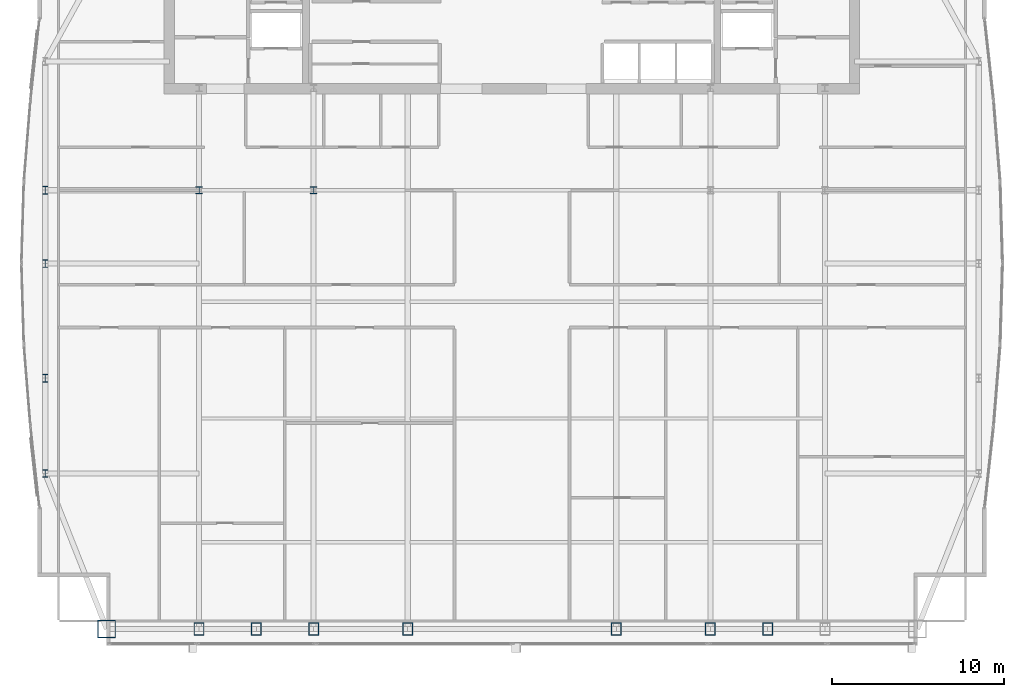
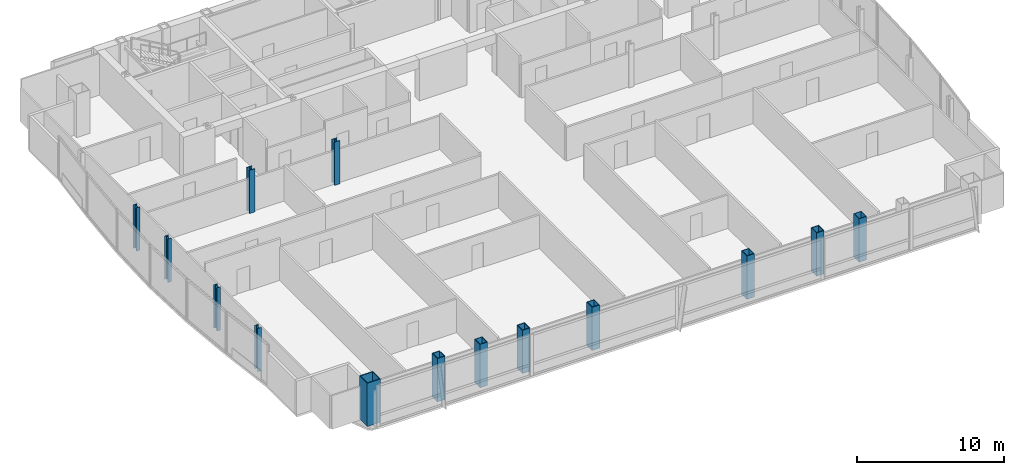
# One storey, part 1 of 29: 14 columns.
"""IFC4 building model written with IfcOpenShell, lengths in metres."""

from ifc_helpers import new_model, si_unit, direction, frame, origin, origin_2d, place, context, subcontext, project, spatial, hollow_rectangle, i_section, extrude, material, material_profile, profile_set, type_object, element, save


model = new_model("IFC4")

# Units and contexts
model_context = context("Model", 3, precision=1e-05, world=origin(), true_north=direction((0.0, 1.0)))
body_context = subcontext(model_context, "Body", "Model", "MODEL_VIEW")
ifc_project = project(units=[si_unit("LENGTHUNIT", "METRE"), si_unit("AREAUNIT", "SQUARE_METRE"), si_unit("VOLUMEUNIT", "CUBIC_METRE"), si_unit("PLANEANGLEUNIT", "RADIAN"), si_unit("MASSUNIT", "GRAM", prefix="KILO")], contexts=[model_context])

# Site, building, storey
site_placement = place(None, origin())
site = spatial("IfcSite", under=ifc_project, at=site_placement, CompositionType="ELEMENT")
building_placement = place(site_placement, origin())
building = spatial("IfcBuilding", under=site, at=building_placement, Name="Khoronbel Lancet Exchange", CompositionType="ELEMENT")
storey_placement = place(building_placement, frame((0.0, 0.0, 242.60009765625)))
storey = spatial("IfcBuildingStorey", under=building, at=storey_placement, Name="L62", CompositionType="ELEMENT", Elevation=242.60009765625)

# Columns
ifc_material_1 = material(Name="Steel S460", Category="steel")
ifc_material_profile_1 = material_profile(ifc_material_1, hollow_rectangle(XDim=0.60009765625, YDim=0.75, WallThickness=0.044921875, at=origin_2d()), Name="BOX 750x600x45")
ifc_profile_set_1 = profile_set([ifc_material_profile_1], Name="Steel S460")
column_type_1 = type_object("IfcColumnType", Name="COL-EC3", PredefinedType="COLUMN", material=ifc_profile_set_1)
for number, where, z_axis, x_axis, name in (
    (1, (18.22509765625, 10.14990234375, 0.0), (0.0, 0.0, 1.0), (1.0, 0.0, 0.0), "Structural column SC-W1 L62"),
    (2, (21.5625, 10.14990234375, 0.0), (0.0, 0.0, 1.0), (1.0, 0.0, 0.0), "Structural column SC-WM L62"),
    (3, (24.89990234375, 10.14990234375, 0.0), (0.0, 0.0, 1.0), (1.0, 0.0, 0.0), "Structural column SC-W2 L62"),
    (4, (30.375, 10.14990234375, 0.0), (0.0, 0.0, 1.0), (1.0, 0.0, 0.0), "Structural column SC-C1 L62"),
    (5, (42.52490234375, 10.14990234375, 0.0), (0.0, 0.0, 1.0), (1.0, 0.0, 0.0), "Structural column SC-C2 L62"),
    (6, (48.0, 10.14990234375, 0.0), (0.0, 0.0, 1.0), (1.0, 0.0, 0.0), "Structural column SC-E1 L62"),
    (7, (51.33740234375, 10.14990234375, 0.0), (0.0, 0.0, 1.0), (1.0, 0.0, 0.0), "Structural column SC-EM L62"),
):
    element("IfcColumn", number, at=place(storey_placement, frame(where, z_axis=z_axis, x_axis=x_axis)), inside=storey, type_object=column_type_1, Name=name, PredefinedType="COLUMN", context=body_context, shape_type="SweptSolid", body=[
        extrude(hollow_rectangle(XDim=0.60009765625, YDim=0.75, WallThickness=0.044921875, at=origin_2d()), origin(), (0.0, 0.0, 1.0), 3.599853515625),
    ])
ifc_material_2 = material(Name="Steel S355", Category="steel")
ifc_material_profile_2 = material_profile(ifc_material_2, i_section(OverallWidth=0.406005859375, OverallDepth=0.416015625, WebThickness=0.02978515625, FlangeThickness=0.048095703125, at=origin_2d()), Name="HD 400x382")
ifc_profile_set_2 = profile_set([ifc_material_profile_2], Name="Steel S355")
column_type_2 = type_object("IfcColumnType", Name="COL-IC3", PredefinedType="COLUMN", material=ifc_profile_set_2)
for number, where, z_axis, x_axis, name in (
    (8, (18.22509765625, 35.699951171875, 0.0), (0.0, 0.0, 1.0), (1.0, 0.0, 0.0), "Spine gravity column TC1 L62"),
    (9, (24.89990234375, 35.699951171875, 0.0), (0.0, 0.0, 1.0), (1.0, 0.0, 0.0), "Spine gravity column TC2 L62"),
):
    element("IfcColumn", number, at=place(storey_placement, frame(where, z_axis=z_axis, x_axis=x_axis)), inside=storey, type_object=column_type_2, Name=name, PredefinedType="COLUMN", context=body_context, shape_type="SweptSolid", body=[
        extrude(i_section(OverallWidth=0.406005859375, OverallDepth=0.416015625, WebThickness=0.02978515625, FlangeThickness=0.048095703125, at=origin_2d()), origin(), (0.0, 0.0, 1.0), 3.599853515625),
    ])
ifc_material_profile_3 = material_profile(ifc_material_2, i_section(OverallWidth=0.300048828125, OverallDepth=0.449951171875, WebThickness=0.013916015625, FlangeThickness=0.02587890625, at=origin_2d()), Name="HEB 450")
ifc_profile_set_3 = profile_set([ifc_material_profile_3], Name="Steel S355")
column_type_3 = type_object("IfcColumnType", Name="COL-LC2", PredefinedType="COLUMN", material=ifc_profile_set_3)
for number, where, z_axis, x_axis, name in (
    (10, (9.27001953125, 19.199951171875, 0.0), (0.0, 0.0, 1.0), (1.0, 0.0, 0.0), "Structural column WC-1 L62"),
    (11, (9.27001953125, 24.75, 0.0), (0.0, 0.0, 1.0), (1.0, 0.0, 0.0), "Structural column WC-2 L62"),
    (12, (9.27001953125, 31.425048828125, 0.0), (0.0, 0.0, 1.0), (1.0, 0.0, 0.0), "Structural column WC-M L62"),
    (13, (9.27001953125, 35.699951171875, 0.0), (0.0, 0.0, 1.0), (1.0, 0.0, 0.0), "Structural column WC-3 L62"),
):
    element("IfcColumn", number, at=place(storey_placement, frame(where, z_axis=z_axis, x_axis=x_axis)), inside=storey, type_object=column_type_3, Name=name, PredefinedType="COLUMN", context=body_context, shape_type="SweptSolid", body=[
        extrude(i_section(OverallWidth=0.300048828125, OverallDepth=0.449951171875, WebThickness=0.013916015625, FlangeThickness=0.02587890625, at=origin_2d()), origin(), (0.0, 0.0, 1.0), 3.599853515625),
    ])
ifc_material_profile_4 = material_profile(ifc_material_1, hollow_rectangle(XDim=1.050048828125, YDim=1.050048828125, WallThickness=0.054931640625, at=origin_2d()), Name="BOX 1050x1050x55")
ifc_profile_set_4 = profile_set([ifc_material_profile_4], Name="Steel S460")
column_type_4 = type_object("IfcColumnType", Name="COL-MC6", PredefinedType="COLUMN", material=ifc_profile_set_4)
column_placement = place(storey_placement, frame((12.85009765625, 10.14990234375, 0.0), z_axis=(0.0, 0.0, 1.0), x_axis=(1.0, 0.0, 0.0)))
element("IfcColumn", 14, at=column_placement, inside=storey, type_object=column_type_4, Name="Structural column MC-SW L62", PredefinedType="COLUMN", context=body_context, shape_type="SweptSolid", body=[
    extrude(hollow_rectangle(XDim=1.050048828125, YDim=1.050048828125, WallThickness=0.054931640625, at=origin_2d()), origin(), (0.0, 0.0, 1.0), 3.599853515625),
])

save(model, "model.ifc")
